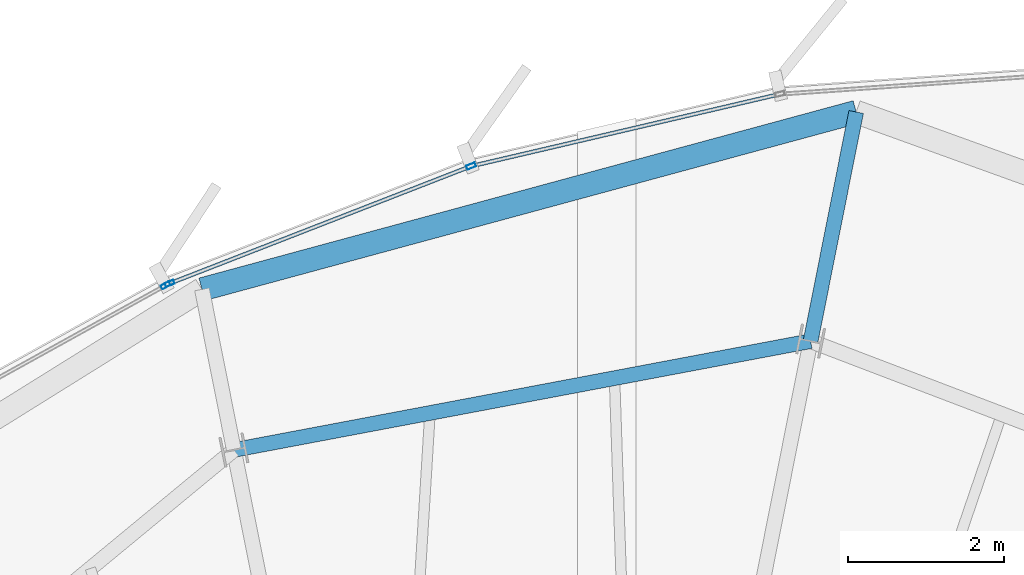
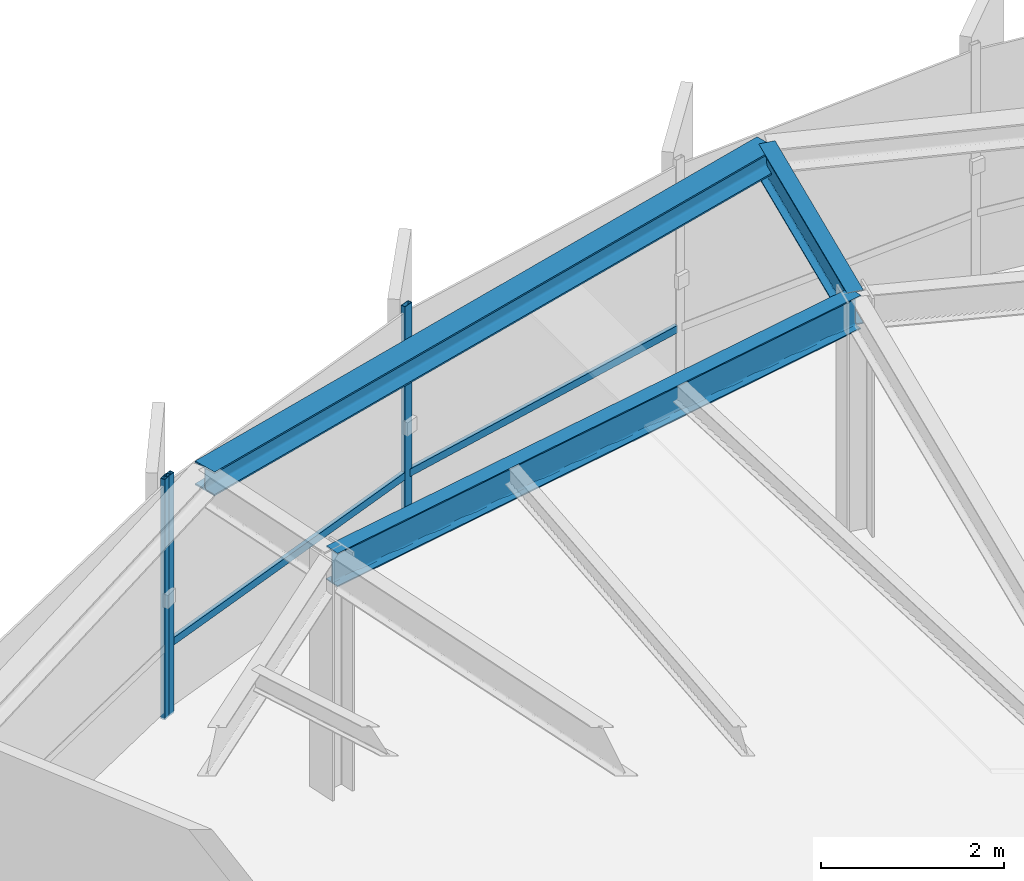
# One storey, part 22 of 34: 5 members, 3 beams, 2 elements without a shape of their own.
"""IFC4 building model written with IfcOpenShell, lengths in metres."""

from ifc_helpers import new_model, si_unit, direction, frame, origin, origin_2d, place, context, subcontext, project, spatial, hollow_rectangle, i_section, extrude, source, transform, mapped, material, layer, layer_set, material_profile, profile_set, type_object, element, aggregate, save


model = new_model("IFC4")

# Units and contexts
model_context = context("Model", 3, precision=1e-05, world=origin(), true_north=direction((0.0, 1.0)))
body_context = subcontext(model_context, "Body", "Model", "MODEL_VIEW")
ifc_project = project(units=[si_unit("LENGTHUNIT", "METRE"), si_unit("AREAUNIT", "SQUARE_METRE"), si_unit("VOLUMEUNIT", "CUBIC_METRE"), si_unit("PLANEANGLEUNIT", "RADIAN"), si_unit("MASSUNIT", "GRAM", prefix="KILO"), si_unit("THERMODYNAMICTEMPERATUREUNIT", "KELVIN")], contexts=[model_context])

# Site, building, storey
site_placement = place(None, origin())
site = spatial("IfcSite", under=ifc_project, at=site_placement, CompositionType="ELEMENT")
building_placement = place(site_placement, origin())
building = spatial("IfcBuilding", under=site, at=building_placement, Name="Kethvar Cultural Tower", CompositionType="ELEMENT")
storey_placement = place(building_placement, frame((0.0, 0.0, 231.85009765625)))
storey = spatial("IfcBuildingStorey", under=building, at=storey_placement, Name="L60", CompositionType="ELEMENT", Elevation=231.85009765625)

# Beams
ifc_material_1 = material(Name="Steel S355J2", Category="steel")
ifc_material_profile_1 = material_profile(ifc_material_1, i_section(OverallWidth=0.18994140625, OverallDepth=0.449951171875, WebThickness=0.009521484375, FlangeThickness=0.0146484375, FilletRadius=0.02099609375, at=origin_2d()), Name="Steel S355J2 — IPE450")
ifc_profile_set_1 = profile_set([ifc_material_profile_1], Name="Steel S355J2 — IPE450")
beam_type_1 = type_object("IfcBeamType", Name="BM-IPE450", PredefinedType="BEAM", material=ifc_profile_set_1)
shared_shape_1 = source(origin(), body_context, "Body", "SweptSolid", [
    extrude(i_section(OverallWidth=0.18994140625, OverallDepth=0.449951171875, WebThickness=0.009521484375, FlangeThickness=0.0146484375, FilletRadius=0.02099609375, at=origin_2d()), origin(), (0.0, 0.0, 1.0), 7.543212890625),
])
beam_1_placement = place(storey_placement, frame((50.645263671875, 47.131591796875, 2.98291015625), z_axis=(-0.982646853086, -0.185486285532, 0.0), x_axis=(0.185486285532, -0.982646853086, 0.0)))
element("IfcBeam", 1, at=beam_1_placement, inside=storey, type_object=beam_type_1, Name="L60 Column Ring Tie Beam CR-04", PredefinedType="BEAM", context=body_context, shape_type="MappedRepresentation", body=[
    mapped(shared_shape_1, transform((0.0, 0.0, 0.0), scale=1.0)),
])
shared_shape_2 = source(origin(), body_context, "Body", "SweptSolid", [
    extrude(i_section(OverallWidth=0.18994140625, OverallDepth=0.449951171875, WebThickness=0.009521484375, FlangeThickness=0.0146484375, FilletRadius=0.02099609375, at=origin_2d()), origin(), (0.0, 0.0, 1.0), 3.002685546875),
])
beam_2_placement = place(storey_placement, frame((50.645263671875, 47.131591796875, 2.98291015625), z_axis=(0.195130999889, 0.980777188194, 0.0), x_axis=(-0.980777188194, 0.195130999889, 0.0)))
element("IfcBeam", 2, at=beam_2_placement, inside=storey, type_object=beam_type_1, Name="L60 Perimeter Cantilever Beam RC-04", PredefinedType="BEAM", context=body_context, shape_type="MappedRepresentation", body=[
    mapped(shared_shape_2, transform((0.0, 0.0, 0.0), scale=1.0)),
])
ifc_material_profile_2 = material_profile(ifc_material_1, i_section(OverallWidth=0.300048828125, OverallDepth=0.320068359375, WebThickness=0.011474609375, FlangeThickness=0.0205078125, FilletRadius=0.027099609375, at=origin_2d()), Name="Steel S355J2 — HEB320")
ifc_profile_set_2 = profile_set([ifc_material_profile_2], Name="Steel S355J2 — HEB320")
beam_type_2 = type_object("IfcBeamType", Name="BM-SP320", PredefinedType="SPANDREL", material=ifc_profile_set_2)
shared_shape_3 = source(origin(), body_context, "Body", "SweptSolid", [
    extrude(i_section(OverallWidth=0.300048828125, OverallDepth=0.320068359375, WebThickness=0.011474609375, FlangeThickness=0.0205078125, FilletRadius=0.027099609375, at=origin_2d()), origin(), (0.0, 0.0, 1.0), 8.71240234375),
])
beam_3_placement = place(storey_placement, frame((51.231201171875, 50.07666015625, 3.0478515625), z_axis=(-0.965164918762, -0.26164227409, 0.0), x_axis=(0.26164227409, -0.965164918762, 0.0)))
element("IfcBeam", 3, at=beam_3_placement, inside=storey, type_object=beam_type_2, Name="L60 Perimeter Spandrel Beam SP-04", PredefinedType="SPANDREL", context=body_context, shape_type="MappedRepresentation", body=[
    mapped(shared_shape_3, transform((0.0, 0.0, 0.0), scale=1.0)),
])

# Curtain wall, members
ifc_material_2 = material(Name="Aluminium 6063-T6", Category="aluminium")
ifc_layer = layer(ifc_material_2, 0.179931640625, Name="Aluminium 6063-T6", Category="aluminium")
ifc_layer_set = layer_set([ifc_layer], Name="Aluminium 6063-T6 (180 mm)")
curtain_wall_type = type_object("IfcCurtainWallType", Name="CW-SYS-05-Z56", PredefinedType="NOTDEFINED", material=ifc_layer_set)
curtain_wall_1_placement = place(storey_placement, origin())
curtain_wall_1 = element("IfcCurtainWall", 4, at=curtain_wall_1_placement, inside=storey, type_object=curtain_wall_type, Name="L60 Curtain Wall Run 01", PredefinedType="NOTDEFINED")
ifc_material_profile_3 = material_profile(ifc_material_2, hollow_rectangle(XDim=0.054931640625, YDim=0.1201171875, WallThickness=0.00390625, at=origin_2d()), Name="Aluminium 6063-T6 — RHS120x55x4")
ifc_profile_set_3 = profile_set([ifc_material_profile_3], Name="Aluminium 6063-T6 — RHS120x55x4")
member_type_1 = type_object("IfcMemberType", Name="CW-SYS-05-Z56-MUL", PredefinedType="MULLION", material=ifc_profile_set_3)
shared_shape_4 = source(origin(), body_context, "Body", "SweptSolid", [
    extrude(hollow_rectangle(XDim=0.054931640625, YDim=0.1201171875, WallThickness=0.00390625, at=origin_2d()), origin(), (0.0, 0.0, 1.0), 3.2099609375),
])
member_1_placement = place(storey_placement, frame((46.2822265625, 49.381103515625, 0.0), z_axis=(0.0, 0.0, 1.0), x_axis=(0.362698289844, -0.931906621151, 0.0)))
member_1 = element("IfcMember", 5, at=member_1_placement, type_object=member_type_1, Name="CW-L60-R01 Mullion 6", PredefinedType="MULLION", context=body_context, shape_type="MappedRepresentation", body=[
    mapped(shared_shape_4, transform((0.0, 0.0, 0.0), scale=1.0)),
])
member_2_placement = place(storey_placement, frame((42.40869140625, 47.873291015625, 0.0), z_axis=(0.0, 0.0, 1.0), x_axis=(0.362698289844, -0.931906621151, 0.0)))
member_2 = element("IfcMember", 6, at=member_2_placement, type_object=member_type_1, Name="CW-L60-R01 Mullion 7", PredefinedType="MULLION", context=body_context, shape_type="MappedRepresentation", body=[
    mapped(shared_shape_4, transform((0.0, 0.0, 0.0), scale=1.0)),
])

# Curtain wall, member
curtain_wall_2_placement = place(storey_placement, origin())
curtain_wall_2 = element("IfcCurtainWall", 7, at=curtain_wall_2_placement, inside=storey, type_object=curtain_wall_type, Name="L60 Curtain Wall Run 02", PredefinedType="NOTDEFINED")
member_3_placement = place(storey_placement, frame((42.356201171875, 47.848876953125, 0.0), z_axis=(0.0, 0.0, 1.0), x_axis=(0.483924002369, -0.875110027329, 0.0)))
member_3 = element("IfcMember", 8, at=member_3_placement, type_object=member_type_1, Name="CW-L60-R02 Mullion 1", PredefinedType="MULLION", context=body_context, shape_type="MappedRepresentation", body=[
    mapped(shared_shape_4, transform((0.0, 0.0, 0.0), scale=1.0)),
])
aggregate(curtain_wall_2, [member_3])

# Member
ifc_material_profile_4 = material_profile(ifc_material_2, hollow_rectangle(XDim=0.050048828125, YDim=0.10009765625, WallThickness=0.00390625, at=origin_2d()), Name="Aluminium 6063-T6 — RHS100x50x4")
ifc_profile_set_4 = profile_set([ifc_material_profile_4], Name="Aluminium 6063-T6 — RHS100x50x4")
member_type_2 = type_object("IfcMemberType", Name="CW-SYS-05-Z56-TRN", PredefinedType="USERDEFINED", material=ifc_profile_set_4)
shared_shape_5 = source(origin(), body_context, "Body", "SweptSolid", [
    extrude(hollow_rectangle(XDim=0.050048828125, YDim=0.10009765625, WallThickness=0.00390625, at=origin_2d()), origin(), (0.0, 0.0, 1.0), 4.011962890625),
])
member_4_placement = place(storey_placement, frame((50.214111328125, 50.298095703125, 0.949951171875), z_axis=(-0.973798100124, -0.227414291974, 0.0), x_axis=(0.227414291974, -0.973798100124, 0.0)))
member_4 = element("IfcMember", 9, at=member_4_placement, type_object=member_type_2, Name="CW-L60-R01 Transom 5", ObjectType="TRANSOM", PredefinedType="USERDEFINED", context=body_context, shape_type="MappedRepresentation", body=[
    mapped(shared_shape_5, transform((0.0, 0.0, 0.0), scale=1.0)),
])

shared_shape_6 = source(origin(), body_context, "Body", "SweptSolid", [
    extrude(hollow_rectangle(XDim=0.050048828125, YDim=0.10009765625, WallThickness=0.00390625, at=origin_2d()), origin(), (0.0, 0.0, 1.0), 4.113037109375),
])
member_5_placement = place(storey_placement, frame((46.245361328125, 49.36669921875, 0.949951171875), z_axis=(-0.931895464416, -0.362726954334, 0.0), x_axis=(0.362726954334, -0.931895464416, 0.0)))
member_5 = element("IfcMember", 10, at=member_5_placement, type_object=member_type_2, Name="CW-L60-R01 Transom 6", ObjectType="TRANSOM", PredefinedType="USERDEFINED", context=body_context, shape_type="MappedRepresentation", body=[
    mapped(shared_shape_6, transform((0.0, 0.0, 0.0), scale=1.0)),
])

aggregate(curtain_wall_1, [member_1, member_2, member_4, member_5])

save(model, "model.ifc")
